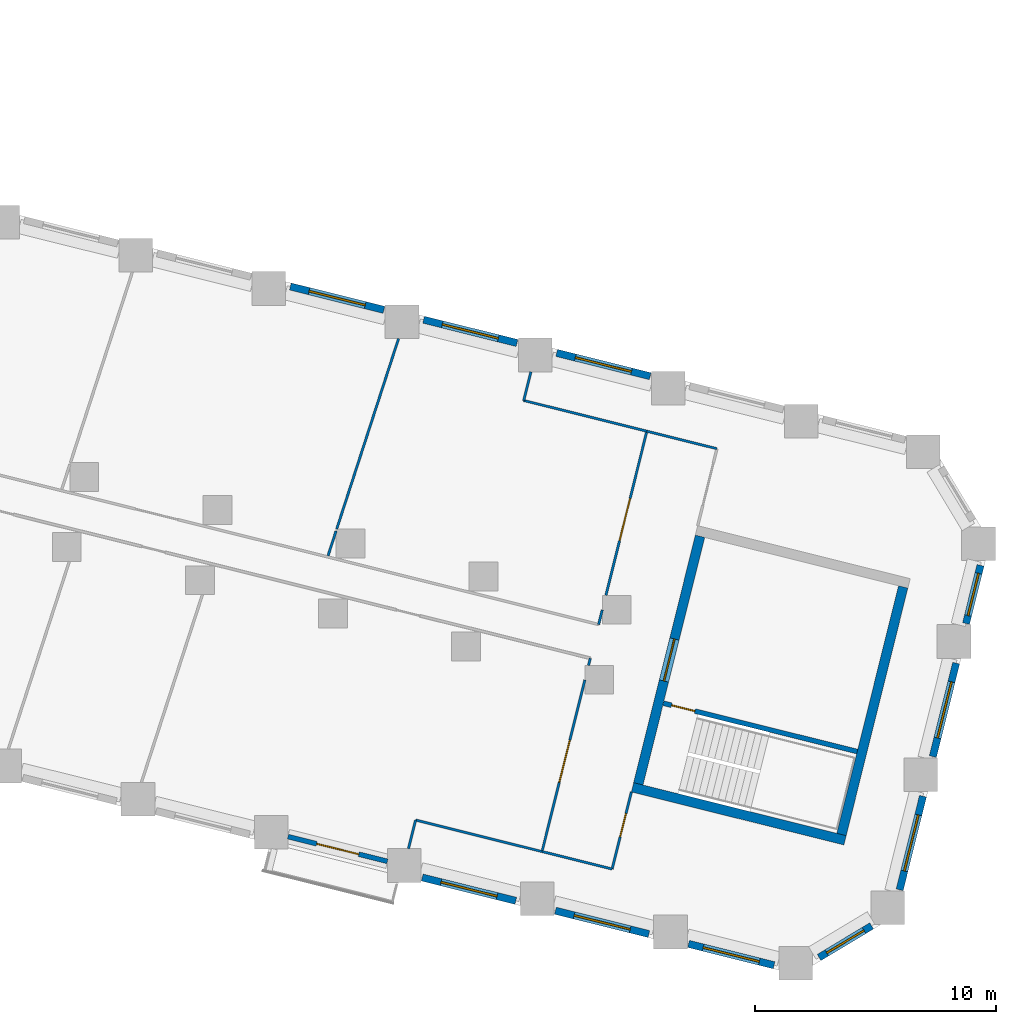
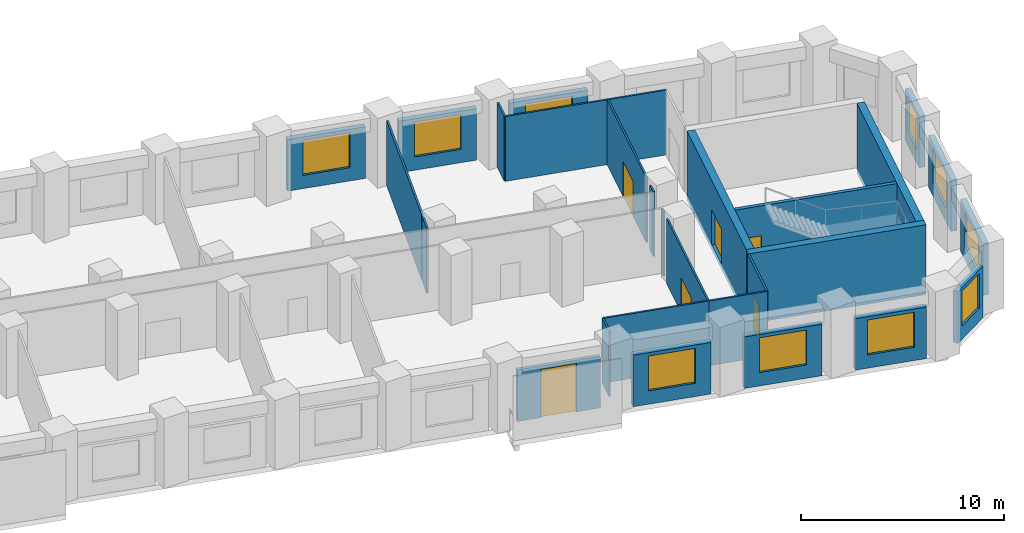
# One storey, part 7 of 12: 28 walls, 10 windows, 6 doors, 16 openings.
"""IFC4 building model written with IfcOpenShell, lengths in metres."""

from ifc_helpers import new_model, si_unit, direction, frame, frame_2d, origin, place, context, subcontext, project, spatial, rectangle, extrude, material, layer, layer_set, type_object, element, fill, save


model = new_model("IFC4")

# Units and contexts
model_context = context("Model", 3, precision=1e-05, world=origin(), true_north=direction((0.0, 1.0)))
body_context = subcontext(model_context, "Body", "Model", "MODEL_VIEW")
ifc_project = project(units=[si_unit("LENGTHUNIT", "METRE"), si_unit("AREAUNIT", "SQUARE_METRE"), si_unit("VOLUMEUNIT", "CUBIC_METRE"), si_unit("PLANEANGLEUNIT", "RADIAN"), si_unit("MASSUNIT", "GRAM", prefix="KILO")], contexts=[model_context])

# Site, building, storey
site_placement = place(None, origin())
site = spatial("IfcSite", under=ifc_project, at=site_placement, CompositionType="ELEMENT")
building_placement = place(site_placement, origin())
building = spatial("IfcBuilding", under=site, at=building_placement, Name="Meshkara Civic Tower", CompositionType="ELEMENT")
storey_placement = place(building_placement, frame((0.0, 0.0, 58.199951171875)))
storey = spatial("IfcBuildingStorey", under=building, at=storey_placement, Name="L12", CompositionType="ELEMENT", Elevation=58.199951171875)

# Wall
ifc_material_1 = material(Name="Corridor wall 100")
ifc_layer_1 = layer(ifc_material_1, 0.10009765625)
ifc_layer_set_1 = layer_set([ifc_layer_1], Name="Corridor wall 100")
wall_type_1 = type_object("IfcWallType", Name="Corridor wall 100", PredefinedType="PARTITIONING", material=ifc_layer_set_1)
wall_1_placement = place(storey_placement, frame((72.35302734375, -15.56591796875, 0.0), z_axis=(0.0, 0.0, 1.0), x_axis=(0.970271610033, -0.242018600037, 0.0)))
element("IfcWall", 1, at=wall_1_placement, inside=storey, type_object=wall_type_1, Name="L12-W024", PredefinedType="PARTITIONING", context=body_context, shape_type="SweptSolid", body=[
    extrude(rectangle(XDim=3.0, YDim=0.10009765625, at=frame_2d((1.5, 0.0))), origin(), (0.0, 0.0, 1.0), 3.900146484375),
])

# Wall, opening, door
wall_2_placement = place(storey_placement, frame((74.131103515625, -8.43701171875, 0.0), z_axis=(0.0, 0.0, 1.0), x_axis=(-0.242003930935, -0.970275268886, 0.0)))
wall_2 = element("IfcWall", 2, at=wall_2_placement, inside=storey, type_object=wall_type_1, Name="L12-W025", PredefinedType="PARTITIONING", context=body_context, shape_type="SweptSolid", body=[
    extrude(rectangle(XDim=7.347412109375, YDim=0.10009765625, at=frame_2d((3.673828125, 0.0))), origin(), (0.0, 0.0, 1.0), 3.900146484375),
])
opening_1_placement = place(wall_2_placement, frame((2.580078125, 0.0, 0.0)))
opening_1 = element("IfcOpeningElement", 3, at=opening_1_placement, cuts=wall_2, Name="Opening L12-D002", PredefinedType="OPENING", context=body_context, shape_type="SweptSolid", body=[
    extrude(rectangle(XDim=1.800048828125, YDim=2.10009765625, at=frame_2d((0.89990234375, 1.050048828125))), frame((0.0, 0.06005859375, 0.0), z_axis=(0.0, -1.0, 0.0), x_axis=(1.0, 0.0, 0.0)), (0.0, 0.0, 1.0), 0.1201171875),
])
ifc_material_2 = material(Name="Door pair 1800 x 2100")
door_type_1 = type_object("IfcDoorType", Name="Door pair 1800 x 2100", OperationType="SINGLE_SWING_LEFT", PredefinedType="DOOR", material=ifc_material_2)
door_1_placement = place(opening_1_placement, origin())
door_1 = element("IfcDoor", 4, at=door_1_placement, inside=storey, type_object=door_type_1, Name="L12-D002", OperationType="DOUBLE_DOOR_SINGLE_SWING", OverallHeight=2.10009765625, OverallWidth=1.800048828125, PredefinedType="DOOR", context=body_context, shape_type="SweptSolid", body=[
    extrude(rectangle(XDim=1.800048828125, YDim=2.10009765625, at=frame_2d((0.89990234375, 1.050048828125))), frame((0.0, 0.02490234375, 0.0), z_axis=(0.0, -1.0, 0.0), x_axis=(1.0, 0.0, 0.0)), (0.0, 0.0, 1.0), 0.050048828125),
])
fill(opening_1, door_1)

# Walls
wall_3_placement = place(storey_placement, frame((74.35595703125, -7.534912109375, 0.0), z_axis=(0.0, 0.0, 1.0), x_axis=(-0.24082959107, -0.970567415518, 0.0)))
element("IfcWall", 5, at=wall_3_placement, inside=storey, type_object=wall_type_1, Name="L12-W026", PredefinedType="PARTITIONING", context=body_context, shape_type="SweptSolid", body=[
    extrude(rectangle(XDim=0.30322265625, YDim=0.10009765625, at=frame_2d((0.151611328125, 0.0))), origin(), (0.0, 0.0, 1.0), 3.900146484375),
])
wall_4_placement = place(storey_placement, frame((74.85595703125, -5.527099609375, 0.0), z_axis=(0.0, 0.0, 1.0), x_axis=(-0.241982798004, -0.970280539571, 0.0)))
element("IfcWall", 6, at=wall_4_placement, inside=storey, type_object=wall_type_1, Name="L12-W027", PredefinedType="PARTITIONING", context=body_context, shape_type="SweptSolid", body=[
    extrude(rectangle(XDim=0.62353515625, YDim=0.10009765625, at=frame_2d((0.311767578125, 0.0))), origin(), (0.0, 0.0, 1.0), 3.900146484375),
])

# Wall, opening, door
wall_5_placement = place(storey_placement, frame((75.263916015625, -16.2919921875, 0.0), z_axis=(0.0, 0.0, 1.0), x_axis=(0.242135244173, 0.970242507587, 0.0)))
wall_5 = element("IfcWall", 7, at=wall_5_placement, inside=storey, type_object=wall_type_1, Name="L12-W028", PredefinedType="PARTITIONING", context=body_context, shape_type="SweptSolid", body=[
    extrude(rectangle(XDim=3.300048828125, YDim=0.10009765625, at=frame_2d((1.64990234375, 0.0))), origin(), (0.0, 0.0, 1.0), 3.900146484375),
])
opening_2_placement = place(wall_5_placement, frame((1.3798828125, 0.0, 0.0)))
opening_2 = element("IfcOpeningElement", 8, at=opening_2_placement, cuts=wall_5, Name="Opening L12-D001", PredefinedType="OPENING", context=body_context, shape_type="SweptSolid", body=[
    extrude(rectangle(XDim=1.0, YDim=2.10009765625, at=frame_2d((0.5, 1.050048828125))), frame((0.0, 0.06005859375, 0.0), z_axis=(0.0, -1.0, 0.0), x_axis=(1.0, 0.0, 0.0)), (0.0, 0.0, 1.0), 0.1201171875),
])
ifc_material_3 = material(Name="Door 1000 x 2100")
door_type_2 = type_object("IfcDoorType", Name="Door 1000 x 2100", OperationType="SINGLE_SWING_LEFT", PredefinedType="DOOR", material=ifc_material_3)
door_2_placement = place(opening_2_placement, origin())
door_2 = element("IfcDoor", 9, at=door_2_placement, inside=storey, type_object=door_type_2, Name="L12-D001", OperationType="SINGLE_SWING_LEFT", OverallHeight=2.10009765625, OverallWidth=1.0, PredefinedType="DOOR", context=body_context, shape_type="SweptSolid", body=[
    extrude(rectangle(XDim=1.0, YDim=2.10009765625, at=frame_2d((0.5, 1.050048828125))), frame((0.0, 0.02490234375, 0.0), z_axis=(0.0, -1.0, 0.0), x_axis=(1.0, 0.0, 0.0)), (0.0, 0.0, 1.0), 0.050048828125),
])
fill(opening_2, door_2)

wall_6_placement = place(storey_placement, frame((76.7080078125, 1.89892578125, 0.0), z_axis=(0.0, 0.0, 1.0), x_axis=(-0.241963232294, -0.970285418945, 0.0)))
wall_6 = element("IfcWall", 10, at=wall_6_placement, inside=storey, type_object=wall_type_1, Name="L12-W029", PredefinedType="PARTITIONING", context=body_context, shape_type="SweptSolid", body=[
    extrude(rectangle(XDim=7.025634765625, YDim=0.10009765625, at=frame_2d((3.5126953125, 0.0))), origin(), (0.0, 0.0, 1.0), 3.900146484375),
])
opening_3_placement = place(wall_6_placement, frame((2.8798828125, 0.0, 0.0)))
opening_3 = element("IfcOpeningElement", 11, at=opening_3_placement, cuts=wall_6, Name="Opening L12-D007", PredefinedType="OPENING", context=body_context, shape_type="SweptSolid", body=[
    extrude(rectangle(XDim=1.800048828125, YDim=2.10009765625, at=frame_2d((0.89990234375, 1.050048828125))), frame((0.0, 0.06005859375, 0.0), z_axis=(0.0, -1.0, 0.0), x_axis=(1.0, 0.0, 0.0)), (0.0, 0.0, 1.0), 0.1201171875),
])
door_3_placement = place(opening_3_placement, origin())
door_3 = element("IfcDoor", 12, at=door_3_placement, inside=storey, type_object=door_type_1, Name="L12-D007", OperationType="DOUBLE_DOOR_SINGLE_SWING", OverallHeight=2.10009765625, OverallWidth=1.800048828125, PredefinedType="DOOR", context=body_context, shape_type="SweptSolid", body=[
    extrude(rectangle(XDim=1.800048828125, YDim=2.10009765625, at=frame_2d((0.89990234375, 1.050048828125))), frame((0.0, 0.02490234375, 0.0), z_axis=(0.0, -1.0, 0.0), x_axis=(1.0, 0.0, 0.0)), (0.0, 0.0, 1.0), 0.050048828125),
])
fill(opening_3, door_3)

# Wall
wall_7_placement = place(storey_placement, frame((79.618896484375, 1.173095703125, 0.0), z_axis=(0.0, 0.0, 1.0), x_axis=(-0.970290716908, 0.241941986192, 0.0)))
element("IfcWall", 13, at=wall_7_placement, inside=storey, type_object=wall_type_1, Name="L12-W031", PredefinedType="PARTITIONING", context=body_context, shape_type="SweptSolid", body=[
    extrude(rectangle(XDim=3.0, YDim=0.10009765625, at=frame_2d((1.5, 0.0))), origin(), (0.0, 0.0, 1.0), 3.900146484375),
])

# Wall, opening, window
ifc_material_4 = material(Name="Insulated infill panel with bronze anodised aluminium cladding", Category="aluminium")
ifc_layer_2 = layer(ifc_material_4, 0.300048828125)
ifc_layer_set_2 = layer_set([ifc_layer_2], Name="EXTERNAL INFILL WALL 300")
wall_type_2 = type_object("IfcWallType", Name="EXTERNAL INFILL WALL 300", PredefinedType="SOLIDWALL", material=ifc_layer_set_2)
wall_8_placement = place(storey_placement, frame((76.843994140625, 4.18408203125, 0.0), z_axis=(0.0, 0.0, 1.0), x_axis=(-0.970303772127, 0.241889623168, 0.0)))
wall_8 = element("IfcWall", 14, at=wall_8_placement, inside=storey, type_object=wall_type_2, Name="External wall", PredefinedType="SOLIDWALL", context=body_context, shape_type="SweptSolid", body=[
    extrude(rectangle(XDim=4.001953125, YDim=0.300048828125, at=frame_2d((2.0009765625, 0.0))), origin(), (0.0, 0.0, 1.0), 3.10009765625),
])
opening_4_placement = place(wall_8_placement, frame((0.801025390625, 0.0, 0.800048828125)))
opening_4 = element("IfcOpeningElement", 15, at=opening_4_placement, cuts=wall_8, Name="Opening W7", PredefinedType="OPENING", context=body_context, shape_type="SweptSolid", body=[
    extrude(rectangle(XDim=2.39990234375, YDim=2.10009765625, at=frame_2d((1.199951171875, 1.050048828125))), frame((0.0, 0.159912109375, 0.0), z_axis=(0.0, -1.0, 0.0), x_axis=(1.0, 0.0, 0.0)), (0.0, 0.0, 1.0), 0.320068359375),
])
ifc_material_5 = material(Name="Tinted double glazing", Category="glass")
window_type_1 = type_object("IfcWindowType", Name="WINDOW 2400x2100", PartitioningType="DOUBLE_PANEL_VERTICAL", PredefinedType="WINDOW", material=ifc_material_5)
window_1_placement = place(opening_4_placement, origin())
window_1 = element("IfcWindow", 16, at=window_1_placement, inside=storey, type_object=window_type_1, Name="Window", OverallHeight=2.10009765625, OverallWidth=2.39990234375, PartitioningType="DOUBLE_PANEL_VERTICAL", PredefinedType="WINDOW", context=body_context, shape_type="SweptSolid", body=[
    extrude(rectangle(XDim=2.39990234375, YDim=2.10009765625, at=frame_2d((1.199951171875, 1.050048828125))), frame((0.0, 0.030029296875, 0.0), z_axis=(0.0, -1.0, 0.0), x_axis=(1.0, 0.0, 0.0)), (0.0, 0.0, 1.0), 0.06005859375),
])
fill(opening_4, window_1)

wall_9_placement = place(storey_placement, frame((71.31396484375, 5.56298828125, 0.0), z_axis=(0.0, 0.0, 1.0), x_axis=(-0.970318045095, 0.24183236211, 0.0)))
wall_9 = element("IfcWall", 17, at=wall_9_placement, inside=storey, type_object=wall_type_2, Name="External wall", PredefinedType="SOLIDWALL", context=body_context, shape_type="SweptSolid", body=[
    extrude(rectangle(XDim=4.0029296875, YDim=0.300048828125, at=frame_2d((2.00146484375, 0.0))), origin(), (0.0, 0.0, 1.0), 3.10009765625),
])
opening_5_placement = place(wall_9_placement, frame((0.802001953125, 0.0, 0.800048828125)))
opening_5 = element("IfcOpeningElement", 18, at=opening_5_placement, cuts=wall_9, Name="Opening W7", PredefinedType="OPENING", context=body_context, shape_type="SweptSolid", body=[
    extrude(rectangle(XDim=2.39990234375, YDim=2.10009765625, at=frame_2d((1.199951171875, 1.050048828125))), frame((0.0, 0.159912109375, 0.0), z_axis=(0.0, -1.0, 0.0), x_axis=(1.0, 0.0, 0.0)), (0.0, 0.0, 1.0), 0.320068359375),
])
window_2_placement = place(opening_5_placement, origin())
window_2 = element("IfcWindow", 19, at=window_2_placement, inside=storey, type_object=window_type_1, Name="Window", OverallHeight=2.10009765625, OverallWidth=2.39990234375, PartitioningType="DOUBLE_PANEL_VERTICAL", PredefinedType="WINDOW", context=body_context, shape_type="SweptSolid", body=[
    extrude(rectangle(XDim=2.39990234375, YDim=2.10009765625, at=frame_2d((1.199951171875, 1.050048828125))), frame((0.0, 0.030029296875, 0.0), z_axis=(0.0, -1.0, 0.0), x_axis=(1.0, 0.0, 0.0)), (0.0, 0.0, 1.0), 0.06005859375),
])
fill(opening_5, window_2)

wall_10_placement = place(storey_placement, frame((65.782958984375, 6.94189453125, 0.0), z_axis=(0.0, 0.0, 1.0), x_axis=(-0.970318045095, 0.24183236211, 0.0)))
wall_10 = element("IfcWall", 20, at=wall_10_placement, inside=storey, type_object=wall_type_2, Name="External wall", PredefinedType="SOLIDWALL", context=body_context, shape_type="SweptSolid", body=[
    extrude(rectangle(XDim=4.0029296875, YDim=0.300048828125, at=frame_2d((2.00146484375, 0.0))), origin(), (0.0, 0.0, 1.0), 3.10009765625),
])
opening_6_placement = place(wall_10_placement, frame((0.802001953125, 0.0, 0.800048828125)))
opening_6 = element("IfcOpeningElement", 21, at=opening_6_placement, cuts=wall_10, Name="Opening W7", PredefinedType="OPENING", context=body_context, shape_type="SweptSolid", body=[
    extrude(rectangle(XDim=2.39990234375, YDim=2.10009765625, at=frame_2d((1.199951171875, 1.050048828125))), frame((0.0, 0.159912109375, 0.0), z_axis=(0.0, -1.0, 0.0), x_axis=(1.0, 0.0, 0.0)), (0.0, 0.0, 1.0), 0.320068359375),
])
window_3_placement = place(opening_6_placement, origin())
window_3 = element("IfcWindow", 22, at=window_3_placement, inside=storey, type_object=window_type_1, Name="Window", OverallHeight=2.10009765625, OverallWidth=2.39990234375, PartitioningType="DOUBLE_PANEL_VERTICAL", PredefinedType="WINDOW", context=body_context, shape_type="SweptSolid", body=[
    extrude(rectangle(XDim=2.39990234375, YDim=2.10009765625, at=frame_2d((1.199951171875, 1.050048828125))), frame((0.0, 0.030029296875, 0.0), z_axis=(0.0, -1.0, 0.0), x_axis=(1.0, 0.0, 0.0)), (0.0, 0.0, 1.0), 0.06005859375),
])
fill(opening_6, window_3)

wall_11_placement = place(storey_placement, frame((67.3779296875, -16.64404296875, 0.0), z_axis=(0.0, 0.0, 1.0), x_axis=(0.970260773365, -0.242062040951, 0.0)))
wall_11 = element("IfcWall", 23, at=wall_11_placement, inside=storey, type_object=wall_type_2, Name="External wall", PredefinedType="SOLIDWALL", context=body_context, shape_type="SweptSolid", body=[
    extrude(rectangle(XDim=4.003173828125, YDim=0.300048828125, at=frame_2d((2.00146484375, 0.0))), origin(), (0.0, 0.0, 1.0), 3.10009765625),
])
opening_7_placement = place(wall_11_placement, frame((0.802001953125, 0.0, 0.800048828125)))
opening_7 = element("IfcOpeningElement", 24, at=opening_7_placement, cuts=wall_11, Name="Opening W7", PredefinedType="OPENING", context=body_context, shape_type="SweptSolid", body=[
    extrude(rectangle(XDim=2.39990234375, YDim=2.10009765625, at=frame_2d((1.199951171875, 1.050048828125))), frame((0.0, 0.159912109375, 0.0), z_axis=(0.0, -1.0, 0.0), x_axis=(1.0, 0.0, 0.0)), (0.0, 0.0, 1.0), 0.320068359375),
])
window_4_placement = place(opening_7_placement, origin())
window_4 = element("IfcWindow", 25, at=window_4_placement, inside=storey, type_object=window_type_1, Name="Window", OverallHeight=2.10009765625, OverallWidth=2.39990234375, PartitioningType="DOUBLE_PANEL_VERTICAL", PredefinedType="WINDOW", context=body_context, shape_type="SweptSolid", body=[
    extrude(rectangle(XDim=2.39990234375, YDim=2.10009765625, at=frame_2d((1.199951171875, 1.050048828125))), frame((0.0, 0.030029296875, 0.0), z_axis=(0.0, -1.0, 0.0), x_axis=(1.0, 0.0, 0.0)), (0.0, 0.0, 1.0), 0.06005859375),
])
fill(opening_7, window_4)

wall_12_placement = place(storey_placement, frame((72.908935546875, -18.02294921875, 0.0), z_axis=(0.0, 0.0, 1.0), x_axis=(0.970260773365, -0.242062040951, 0.0)))
wall_12 = element("IfcWall", 26, at=wall_12_placement, inside=storey, type_object=wall_type_2, Name="External wall", PredefinedType="SOLIDWALL", context=body_context, shape_type="SweptSolid", body=[
    extrude(rectangle(XDim=4.003173828125, YDim=0.300048828125, at=frame_2d((2.00146484375, 0.0))), origin(), (0.0, 0.0, 1.0), 3.10009765625),
])
opening_8_placement = place(wall_12_placement, frame((0.802001953125, 0.0, 0.800048828125)))
opening_8 = element("IfcOpeningElement", 27, at=opening_8_placement, cuts=wall_12, Name="Opening W7", PredefinedType="OPENING", context=body_context, shape_type="SweptSolid", body=[
    extrude(rectangle(XDim=2.39990234375, YDim=2.10009765625, at=frame_2d((1.199951171875, 1.050048828125))), frame((0.0, 0.159912109375, 0.0), z_axis=(0.0, -1.0, 0.0), x_axis=(1.0, 0.0, 0.0)), (0.0, 0.0, 1.0), 0.320068359375),
])
window_5_placement = place(opening_8_placement, origin())
window_5 = element("IfcWindow", 28, at=window_5_placement, inside=storey, type_object=window_type_1, Name="Window", OverallHeight=2.10009765625, OverallWidth=2.39990234375, PartitioningType="DOUBLE_PANEL_VERTICAL", PredefinedType="WINDOW", context=body_context, shape_type="SweptSolid", body=[
    extrude(rectangle(XDim=2.39990234375, YDim=2.10009765625, at=frame_2d((1.199951171875, 1.050048828125))), frame((0.0, 0.030029296875, 0.0), z_axis=(0.0, -1.0, 0.0), x_axis=(1.0, 0.0, 0.0)), (0.0, 0.0, 1.0), 0.06005859375),
])
fill(opening_8, window_5)

wall_13_placement = place(storey_placement, frame((78.43994140625, -19.402099609375, 0.0), z_axis=(0.0, 0.0, 1.0), x_axis=(0.970271818873, -0.24201776278, 0.0)))
wall_13 = element("IfcWall", 29, at=wall_13_placement, inside=storey, type_object=wall_type_2, Name="External wall", PredefinedType="SOLIDWALL", context=body_context, shape_type="SweptSolid", body=[
    extrude(rectangle(XDim=3.660888671875, YDim=0.300048828125, at=frame_2d((1.83056640625, 0.0))), origin(), (0.0, 0.0, 1.0), 3.10009765625),
])
opening_9_placement = place(wall_13_placement, frame((0.6298828125, 0.0, 0.800048828125)))
opening_9 = element("IfcOpeningElement", 30, at=opening_9_placement, cuts=wall_13, Name="Opening W7", PredefinedType="OPENING", context=body_context, shape_type="SweptSolid", body=[
    extrude(rectangle(XDim=2.39990234375, YDim=2.10009765625, at=frame_2d((1.199951171875, 1.050048828125))), frame((0.0, 0.159912109375, 0.0), z_axis=(0.0, -1.0, 0.0), x_axis=(1.0, 0.0, 0.0)), (0.0, 0.0, 1.0), 0.320068359375),
])
window_6_placement = place(opening_9_placement, origin())
window_6 = element("IfcWindow", 31, at=window_6_placement, inside=storey, type_object=window_type_1, Name="Window", OverallHeight=2.10009765625, OverallWidth=2.39990234375, PartitioningType="DOUBLE_PANEL_VERTICAL", PredefinedType="WINDOW", context=body_context, shape_type="SweptSolid", body=[
    extrude(rectangle(XDim=2.39990234375, YDim=2.10009765625, at=frame_2d((1.199951171875, 1.050048828125))), frame((0.0, 0.030029296875, 0.0), z_axis=(0.0, -1.0, 0.0), x_axis=(1.0, 0.0, 0.0)), (0.0, 0.0, 1.0), 0.06005859375),
])
fill(opening_9, window_6)

wall_14_placement = place(storey_placement, frame((83.865966796875, -19.965087890625, 0.0), z_axis=(0.0, 0.0, 1.0), x_axis=(0.857026568426, 0.515272220299, 0.0)))
wall_14 = element("IfcWall", 32, at=wall_14_placement, inside=storey, type_object=wall_type_2, Name="External wall", PredefinedType="SOLIDWALL", context=body_context, shape_type="SweptSolid", body=[
    extrude(rectangle(XDim=2.54248046875, YDim=0.300048828125, at=frame_2d((1.271240234375, 0.0))), origin(), (0.0, 0.0, 1.0), 3.10009765625),
])
opening_10_placement = place(wall_14_placement, frame((0.37109375, 0.0, 0.800048828125)))
opening_10 = element("IfcOpeningElement", 33, at=opening_10_placement, cuts=wall_14, Name="Opening W9", PredefinedType="OPENING", context=body_context, shape_type="SweptSolid", body=[
    extrude(rectangle(XDim=1.800048828125, YDim=2.10009765625, at=frame_2d((0.89990234375, 1.050048828125))), frame((0.0, 0.159912109375, 0.0), z_axis=(0.0, -1.0, 0.0), x_axis=(1.0, 0.0, 0.0)), (0.0, 0.0, 1.0), 0.320068359375),
])
ifc_material_6 = material(Name="Tinted double glazing", Category="glass")
window_type_2 = type_object("IfcWindowType", Name="WINDOW 1800x2100", PartitioningType="DOUBLE_PANEL_VERTICAL", PredefinedType="WINDOW", material=ifc_material_6)
window_7_placement = place(opening_10_placement, origin())
window_7 = element("IfcWindow", 34, at=window_7_placement, inside=storey, type_object=window_type_2, Name="Window", OverallHeight=2.10009765625, OverallWidth=1.800048828125, PartitioningType="DOUBLE_PANEL_VERTICAL", PredefinedType="WINDOW", context=body_context, shape_type="SweptSolid", body=[
    extrude(rectangle(XDim=1.800048828125, YDim=2.10009765625, at=frame_2d((0.89990234375, 1.050048828125))), frame((0.0, 0.030029296875, 0.0), z_axis=(0.0, -1.0, 0.0), x_axis=(1.0, 0.0, 0.0)), (0.0, 0.0, 1.0), 0.06005859375),
])
fill(opening_10, window_7)

wall_15_placement = place(storey_placement, frame((87.2109375, -17.152099609375, 0.0), z_axis=(0.0, 0.0, 1.0), x_axis=(0.24183236211, 0.970318045095, 0.0)))
wall_15 = element("IfcWall", 35, at=wall_15_placement, inside=storey, type_object=wall_type_2, Name="External wall", PredefinedType="SOLIDWALL", context=body_context, shape_type="SweptSolid", body=[
    extrude(rectangle(XDim=4.0029296875, YDim=0.300048828125, at=frame_2d((2.00146484375, 0.0))), origin(), (0.0, 0.0, 1.0), 3.10009765625),
])
opening_11_placement = place(wall_15_placement, frame((0.802001953125, 0.0, 0.800048828125)))
opening_11 = element("IfcOpeningElement", 36, at=opening_11_placement, cuts=wall_15, Name="Opening W7", PredefinedType="OPENING", context=body_context, shape_type="SweptSolid", body=[
    extrude(rectangle(XDim=2.39990234375, YDim=2.10009765625, at=frame_2d((1.199951171875, 1.050048828125))), frame((0.0, 0.159912109375, 0.0), z_axis=(0.0, -1.0, 0.0), x_axis=(1.0, 0.0, 0.0)), (0.0, 0.0, 1.0), 0.320068359375),
])
window_8_placement = place(opening_11_placement, origin())
window_8 = element("IfcWindow", 37, at=window_8_placement, inside=storey, type_object=window_type_1, Name="Window", OverallHeight=2.10009765625, OverallWidth=2.39990234375, PartitioningType="DOUBLE_PANEL_VERTICAL", PredefinedType="WINDOW", context=body_context, shape_type="SweptSolid", body=[
    extrude(rectangle(XDim=2.39990234375, YDim=2.10009765625, at=frame_2d((1.199951171875, 1.050048828125))), frame((0.0, 0.030029296875, 0.0), z_axis=(0.0, -1.0, 0.0), x_axis=(1.0, 0.0, 0.0)), (0.0, 0.0, 1.0), 0.06005859375),
])
fill(opening_11, window_8)

wall_16_placement = place(storey_placement, frame((88.590087890625, -11.62109375, 0.0), z_axis=(0.0, 0.0, 1.0), x_axis=(0.241889623168, 0.970303772127, 0.0)))
wall_16 = element("IfcWall", 38, at=wall_16_placement, inside=storey, type_object=wall_type_2, Name="External wall", PredefinedType="SOLIDWALL", context=body_context, shape_type="SweptSolid", body=[
    extrude(rectangle(XDim=4.001953125, YDim=0.300048828125, at=frame_2d((2.0009765625, 0.0))), origin(), (0.0, 0.0, 1.0), 3.10009765625),
])
opening_12_placement = place(wall_16_placement, frame((0.801025390625, 0.0, 0.800048828125)))
opening_12 = element("IfcOpeningElement", 39, at=opening_12_placement, cuts=wall_16, Name="Opening W7", PredefinedType="OPENING", context=body_context, shape_type="SweptSolid", body=[
    extrude(rectangle(XDim=2.39990234375, YDim=2.10009765625, at=frame_2d((1.199951171875, 1.050048828125))), frame((0.0, 0.159912109375, 0.0), z_axis=(0.0, -1.0, 0.0), x_axis=(1.0, 0.0, 0.0)), (0.0, 0.0, 1.0), 0.320068359375),
])
window_9_placement = place(opening_12_placement, origin())
window_9 = element("IfcWindow", 40, at=window_9_placement, inside=storey, type_object=window_type_1, Name="Window", OverallHeight=2.10009765625, OverallWidth=2.39990234375, PartitioningType="DOUBLE_PANEL_VERTICAL", PredefinedType="WINDOW", context=body_context, shape_type="SweptSolid", body=[
    extrude(rectangle(XDim=2.39990234375, YDim=2.10009765625, at=frame_2d((1.199951171875, 1.050048828125))), frame((0.0, 0.030029296875, 0.0), z_axis=(0.0, -1.0, 0.0), x_axis=(1.0, 0.0, 0.0)), (0.0, 0.0, 1.0), 0.06005859375),
])
fill(opening_12, window_9)

wall_17_placement = place(storey_placement, frame((89.968994140625, -6.091064453125, 0.0), z_axis=(0.0, 0.0, 1.0), x_axis=(0.241797277733, 0.9703267885, 0.0)))
wall_17 = element("IfcWall", 41, at=wall_17_placement, inside=storey, type_object=wall_type_2, Name="External wall", PredefinedType="SOLIDWALL", context=body_context, shape_type="SweptSolid", body=[
    extrude(rectangle(XDim=2.489990234375, YDim=0.300048828125, at=frame_2d((1.2451171875, 0.0))), origin(), (0.0, 0.0, 1.0), 3.10009765625),
])
opening_13_placement = place(wall_17_placement, frame((0.344970703125, 0.0, 0.800048828125)))
opening_13 = element("IfcOpeningElement", 42, at=opening_13_placement, cuts=wall_17, Name="Opening W9", PredefinedType="OPENING", context=body_context, shape_type="SweptSolid", body=[
    extrude(rectangle(XDim=1.800048828125, YDim=2.10009765625, at=frame_2d((0.89990234375, 1.050048828125))), frame((0.0, 0.159912109375, 0.0), z_axis=(0.0, -1.0, 0.0), x_axis=(1.0, 0.0, 0.0)), (0.0, 0.0, 1.0), 0.320068359375),
])
window_10_placement = place(opening_13_placement, origin())
window_10 = element("IfcWindow", 43, at=window_10_placement, inside=storey, type_object=window_type_2, Name="Window", OverallHeight=2.10009765625, OverallWidth=1.800048828125, PartitioningType="DOUBLE_PANEL_VERTICAL", PredefinedType="WINDOW", context=body_context, shape_type="SweptSolid", body=[
    extrude(rectangle(XDim=1.800048828125, YDim=2.10009765625, at=frame_2d((0.89990234375, 1.050048828125))), frame((0.0, 0.030029296875, 0.0), z_axis=(0.0, -1.0, 0.0), x_axis=(1.0, 0.0, 0.0)), (0.0, 0.0, 1.0), 0.06005859375),
])
fill(opening_13, window_10)

# Wall
ifc_material_7 = material(Name="Concrete C80", Category="concrete")
ifc_layer_3 = layer(ifc_material_7, 0.39990234375)
ifc_layer_set_3 = layer_set([ifc_layer_3], Name="End core ring wall 400 C80")
wall_type_3 = type_object("IfcWallType", Name="End core ring wall 400 C80", PredefinedType="SHEAR", material=ifc_layer_set_3)
wall_18_placement = place(storey_placement, frame((76.111083984375, -12.89599609375, -0.300048828125), z_axis=(0.0, 0.0, 1.0), x_axis=(0.970311127573, -0.241860115992, 0.0)))
element("IfcWall", 44, at=wall_18_placement, inside=storey, type_object=wall_type_3, Name="L12-C031", PredefinedType="SHEAR", context=body_context, shape_type="SweptSolid", body=[
    extrude(rectangle(XDim=9.10009765625, YDim=0.39990234375, at=frame_2d((4.550048828125, 0.0))), origin(), (0.0, 0.0, 1.0), 4.2001953125),
])

# Wall, opening, door
wall_19_placement = place(storey_placement, frame((76.35302734375, -12.75, -0.300048828125), z_axis=(0.0, 0.0, 1.0), x_axis=(0.241977390218, 0.970281888228, 0.0)))
wall_19 = element("IfcWall", 45, at=wall_19_placement, inside=storey, type_object=wall_type_3, Name="L12-C033", PredefinedType="SHEAR", context=body_context, shape_type="SweptSolid", body=[
    extrude(rectangle(XDim=10.599853515625, YDim=0.39990234375, at=frame_2d((5.2998046875, 0.0))), origin(), (0.0, 0.0, 1.0), 4.2001953125),
])
opening_14_placement = place(wall_19_placement, frame((4.39990234375, 0.0, 0.300048828125)))
opening_14 = element("IfcOpeningElement", 46, at=opening_14_placement, cuts=wall_19, Name="Opening L12-K202", PredefinedType="OPENING", context=body_context, shape_type="SweptSolid", body=[
    extrude(rectangle(XDim=1.800048828125, YDim=2.10009765625, at=frame_2d((0.89990234375, 1.050048828125))), frame((0.0, 0.2099609375, 0.0), z_axis=(0.0, -1.0, 0.0), x_axis=(1.0, 0.0, 0.0)), (0.0, 0.0, 1.0), 0.419921875),
])
ifc_material_8 = material(Name="Fire-rated door leaf in steel frame", Category="steel")
door_type_3 = type_object("IfcDoorType", Name="Core double door 1800 EI 60", OperationType="DOUBLE_DOOR_SINGLE_SWING", PredefinedType="DOOR", material=ifc_material_8)
door_4_placement = place(opening_14_placement, origin())
door_4 = element("IfcDoor", 47, at=door_4_placement, inside=storey, type_object=door_type_3, Name="L12-K202", OperationType="DOUBLE_DOOR_SINGLE_SWING", OverallHeight=2.10009765625, OverallWidth=1.800048828125, PredefinedType="DOOR", context=body_context, shape_type="SweptSolid", body=[
    extrude(rectangle(XDim=1.800048828125, YDim=2.10009765625, at=frame_2d((0.89990234375, 1.050048828125))), frame((0.0, 0.02490234375, 0.0), z_axis=(0.0, -1.0, 0.0), x_axis=(1.0, 0.0, 0.0)), (0.0, 0.0, 1.0), 0.050048828125),
])
fill(opening_14, door_4)

# Wall
wall_20_placement = place(storey_placement, frame((84.794921875, -14.85498046875, -0.300048828125), z_axis=(0.0, 0.0, 1.0), x_axis=(0.241890652548, 0.970303515509, 0.0)))
element("IfcWall", 48, at=wall_20_placement, inside=storey, type_object=wall_type_3, Name="L12-C034", PredefinedType="SHEAR", context=body_context, shape_type="SweptSolid", body=[
    extrude(rectangle(XDim=10.599609375, YDim=0.39990234375, at=frame_2d((5.2998046875, 0.0))), origin(), (0.0, 0.0, 1.0), 4.2001953125),
])

# Wall, opening, door
ifc_material_9 = material(Name="Insulated infill panel with bronze anodised aluminium cladding", Category="aluminium")
ifc_layer_4 = layer(ifc_material_9, 0.199951171875)
ifc_layer_set_4 = layer_set([ifc_layer_4], Name="LOGGIA BACK WALL 200")
wall_type_4 = type_object("IfcWallType", Name="LOGGIA BACK WALL 200", PredefinedType="SOLIDWALL", material=ifc_layer_set_4)
wall_21_placement = place(storey_placement, frame((61.797119140625, -14.944091796875, 0.0), z_axis=(0.0, 0.0, 1.0), x_axis=(0.970344618147, -0.241725716533, 0.0)))
wall_21 = element("IfcWall", 49, at=wall_21_placement, inside=storey, type_object=wall_type_4, Name="Loggia wall", PredefinedType="SOLIDWALL", context=body_context, shape_type="SweptSolid", body=[
    extrude(rectangle(XDim=4.256103515625, YDim=0.199951171875, at=frame_2d((2.1279296875, 0.0))), origin(), (0.0, 0.0, 1.0), 3.10009765625),
])
opening_15_placement = place(wall_21_placement, frame((1.22802734375, 0.0, 0.0)))
opening_15 = element("IfcOpeningElement", 50, at=opening_15_placement, cuts=wall_21, Name="Opening L12-L005", PredefinedType="OPENING", context=body_context, shape_type="SweptSolid", body=[
    extrude(rectangle(XDim=1.800048828125, YDim=2.89990234375, at=frame_2d((0.89990234375, 1.449951171875))), frame((0.0, 0.10986328125, 0.0), z_axis=(0.0, -1.0, 0.0), x_axis=(1.0, 0.0, 0.0)), (0.0, 0.0, 1.0), 0.219970703125),
])
ifc_material_10 = material(Name="Tinted double glazing", Category="glass")
door_type_4 = type_object("IfcDoorType", Name="LOGGIA DOOR 1800x2900", OperationType="DOUBLE_DOOR_SINGLE_SWING", PredefinedType="DOOR", material=ifc_material_10)
door_5_placement = place(opening_15_placement, origin())
door_5 = element("IfcDoor", 51, at=door_5_placement, inside=storey, type_object=door_type_4, Name="L12-L005", OperationType="DOUBLE_DOOR_SINGLE_SWING", OverallHeight=2.89990234375, OverallWidth=1.800048828125, PredefinedType="DOOR", context=body_context, shape_type="SweptSolid", body=[
    extrude(rectangle(XDim=1.800048828125, YDim=2.89990234375, at=frame_2d((0.89990234375, 1.449951171875))), frame((0.0, 0.02490234375, 0.0), z_axis=(0.0, -1.0, 0.0), x_axis=(1.0, 0.0, 0.0)), (0.0, 0.0, 1.0), 0.050048828125),
])
fill(opening_15, door_5)

# Walls
ifc_material_11 = material(Name="Partition 100")
ifc_layer_5 = layer(ifc_material_11, 0.10009765625)
ifc_layer_set_5 = layer_set([ifc_layer_5], Name="Partition 100")
wall_type_5 = type_object("IfcWallType", Name="Partition 100", PredefinedType="PARTITIONING", material=ifc_layer_set_5)
wall_22_placement = place(storey_placement, frame((63.4619140625, -3.27392578125, 0.0), z_axis=(0.0, 0.0, 1.0), x_axis=(0.308748247722, 0.9511437954, 0.0)))
element("IfcWall", 52, at=wall_22_placement, inside=storey, type_object=wall_type_5, Name="L12-W054", PredefinedType="PARTITIONING", context=body_context, shape_type="SweptSolid", body=[
    extrude(rectangle(XDim=1.07861328125, YDim=0.10009765625, at=frame_2d((0.539306640625, 0.0))), origin(), (0.0, 0.0, 1.0), 3.900146484375),
])
wall_23_placement = place(storey_placement, frame((63.822998046875, -2.160888671875, 0.0), z_axis=(0.0, 0.0, 1.0), x_axis=(0.308940631074, 0.951081324846, 0.0)))
element("IfcWall", 53, at=wall_23_placement, inside=storey, type_object=wall_type_5, Name="L12-W055", PredefinedType="PARTITIONING", context=body_context, shape_type="SweptSolid", body=[
    extrude(rectangle(XDim=8.312744140625, YDim=0.10009765625, at=frame_2d((4.15625, 0.0))), origin(), (0.0, 0.0, 1.0), 3.900146484375),
])
wall_24_placement = place(storey_placement, frame((66.802001953125, -15.447998046875, 0.0), z_axis=(0.0, 0.0, 1.0), x_axis=(0.241880858218, 0.970305957123, 0.0)))
element("IfcWall", 54, at=wall_24_placement, inside=storey, type_object=wall_type_5, Name="L12-W056", PredefinedType="PARTITIONING", context=body_context, shape_type="SweptSolid", body=[
    extrude(rectangle(XDim=1.228271484375, YDim=0.10009765625, at=frame_2d((0.6142578125, 0.0))), origin(), (0.0, 0.0, 1.0), 3.900146484375),
])
wall_25_placement = place(storey_placement, frame((67.09912109375, -14.256103515625, 0.0), z_axis=(0.0, 0.0, 1.0), x_axis=(0.970301308755, -0.241899504398, 0.0)))
element("IfcWall", 55, at=wall_25_placement, inside=storey, type_object=wall_type_5, Name="L12-W057", PredefinedType="PARTITIONING", context=body_context, shape_type="SweptSolid", body=[
    extrude(rectangle(XDim=5.418701171875, YDim=0.10009765625, at=frame_2d((2.70947265625, 0.0))), origin(), (0.0, 0.0, 1.0), 3.900146484375),
])
wall_26_placement = place(storey_placement, frame((71.593017578125, 3.174072265625, 0.0), z_axis=(0.0, 0.0, 1.0), x_axis=(0.241693721233, 0.97035258804, 0.0)))
element("IfcWall", 56, at=wall_26_placement, inside=storey, type_object=wall_type_5, Name="L12-W058", PredefinedType="PARTITIONING", context=body_context, shape_type="SweptSolid", body=[
    extrude(rectangle(XDim=1.228271484375, YDim=0.10009765625, at=frame_2d((0.6142578125, 0.0))), origin(), (0.0, 0.0, 1.0), 3.900146484375),
])
wall_27_placement = place(storey_placement, frame((76.7119140625, 1.89794921875, 0.0), z_axis=(0.0, 0.0, 1.0), x_axis=(-0.970302897998, 0.241893129577, 0.0)))
element("IfcWall", 57, at=wall_27_placement, inside=storey, type_object=wall_type_5, Name="L12-W059", PredefinedType="PARTITIONING", context=body_context, shape_type="SweptSolid", body=[
    extrude(rectangle(XDim=5.275634765625, YDim=0.10009765625, at=frame_2d((2.6376953125, 0.0))), origin(), (0.0, 0.0, 1.0), 3.900146484375),
])

# Wall, opening, door
ifc_material_12 = material(Name="Concrete C40/50", Category="concrete")
ifc_layer_6 = layer(ifc_material_12, 0.199951171875)
ifc_layer_set_6 = layer_set([ifc_layer_6], Name="Stair enclosure wall 200 C40/50")
wall_type_6 = type_object("IfcWallType", Name="Stair enclosure wall 200 C40/50", PredefinedType="SOLIDWALL", material=ifc_layer_set_6)
wall_28_placement = place(storey_placement, frame((77.39404296875, -9.403076171875, 0.0), z_axis=(0.0, 0.0, 1.0), x_axis=(0.970303192681, -0.241891947516, 0.0)))
wall_28 = element("IfcWall", 58, at=wall_28_placement, inside=storey, type_object=wall_type_6, Name="L12-C035", PredefinedType="SOLIDWALL", context=body_context, shape_type="SweptSolid", body=[
    extrude(rectangle(XDim=8.300537109375, YDim=0.199951171875, at=frame_2d((4.150390625, 0.0))), origin(), (0.0, 0.0, 1.0), 3.900146484375),
])
opening_16_placement = place(wall_28_placement, frame((0.35009765625, 0.0, 0.0)))
opening_16 = element("IfcOpeningElement", 59, at=opening_16_placement, cuts=wall_28, Name="Opening L12-K201", PredefinedType="OPENING", context=body_context, shape_type="SweptSolid", body=[
    extrude(rectangle(XDim=1.0, YDim=2.10009765625, at=frame_2d((0.5, 1.050048828125))), frame((0.0, 0.10986328125, 0.0), z_axis=(0.0, -1.0, 0.0), x_axis=(1.0, 0.0, 0.0)), (0.0, 0.0, 1.0), 0.219970703125),
])
ifc_material_13 = material(Name="Fire-rated door leaf in steel frame", Category="steel")
door_type_5 = type_object("IfcDoorType", Name="Stair door 1000 EI 120", OperationType="SINGLE_SWING_LEFT", PredefinedType="DOOR", material=ifc_material_13)
door_6_placement = place(opening_16_placement, origin())
door_6 = element("IfcDoor", 60, at=door_6_placement, inside=storey, type_object=door_type_5, Name="L12-K201", OperationType="SINGLE_SWING_LEFT", OverallHeight=2.10009765625, OverallWidth=1.0, PredefinedType="DOOR", context=body_context, shape_type="SweptSolid", body=[
    extrude(rectangle(XDim=1.0, YDim=2.10009765625, at=frame_2d((0.5, 1.050048828125))), frame((0.0, 0.02490234375, 0.0), z_axis=(0.0, -1.0, 0.0), x_axis=(1.0, 0.0, 0.0)), (0.0, 0.0, 1.0), 0.050048828125),
])
fill(opening_16, door_6)

save(model, "model.ifc")
